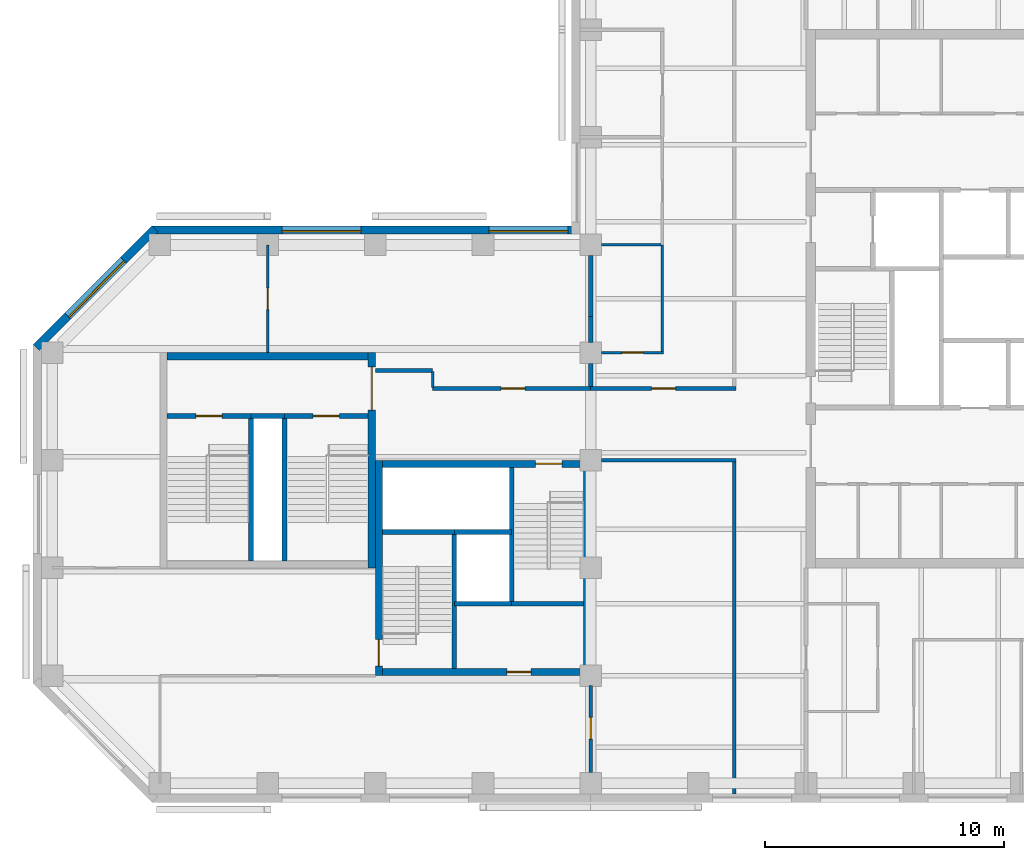
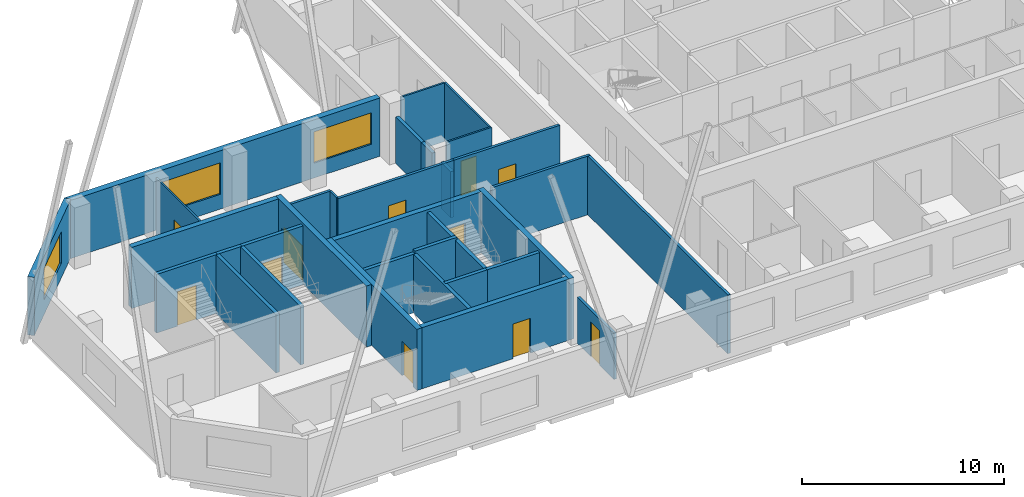
# One storey, part 3 of 10: 33 walls, 11 doors, 3 windows, 14 openings.
"""IFC4 building model written with IfcOpenShell, lengths in metres."""

from ifc_helpers import new_model, si_unit, direction, frame, frame_2d, origin, place, context, subcontext, project, spatial, rectangle, extrude, material, layer, layer_set, constituent, constituent_set, type_object, element, fill, save


model = new_model("IFC4")

# Units and contexts
model_context = context("Model", 3, precision=1e-05, world=origin(), true_north=direction((0.0, 1.0)))
body_context = subcontext(model_context, "Body", "Model", "MODEL_VIEW")
ifc_project = project(units=[si_unit("LENGTHUNIT", "METRE"), si_unit("AREAUNIT", "SQUARE_METRE"), si_unit("VOLUMEUNIT", "CUBIC_METRE"), si_unit("PLANEANGLEUNIT", "RADIAN"), si_unit("MASSUNIT", "GRAM", prefix="KILO")], contexts=[model_context])

# Site, building, storey
site_placement = place(None, origin())
site = spatial("IfcSite", under=ifc_project, at=site_placement, CompositionType="ELEMENT")
building_placement = place(site_placement, origin())
building = spatial("IfcBuilding", under=site, at=building_placement, Name="Quoin Convention Tower", CompositionType="ELEMENT")
storey_placement = place(building_placement, frame((0.0, 0.0, 188.39990234375)))
storey = spatial("IfcBuildingStorey", under=building, at=storey_placement, Name="L49", CompositionType="ELEMENT", Elevation=188.39990234375)

# Wall, openings, windows
ifc_material_1 = material(Name="Brick masonry", Category="masonry")
ifc_layer_1 = layer(ifc_material_1, 0.35009765625)
ifc_layer_set_1 = layer_set([ifc_layer_1], Name="Brick masonry")
wall_type_1 = type_object("IfcWallType", Name="Brick facade wall", PredefinedType="STANDARD", material=ifc_layer_set_1)
wall_1_placement = place(storey_placement, frame((35.550048828125, 63.625, 0.0), z_axis=(0.0, 0.0, 1.0), x_axis=(-1.0, 0.0, 0.0)))
wall_1 = element("IfcWall", 1, at=wall_1_placement, inside=storey, type_object=wall_type_1, Name="fw-L49-36000_63000", PredefinedType="STANDARD", context=body_context, shape_type="SweptSolid", body=[
    extrude(rectangle(XDim=17.88134765625, YDim=0.35009765625, at=frame_2d((8.940673828125, 0.0))), origin(), (0.0, 0.0, 1.0), 3.525146484375),
])
opening_1_placement = place(wall_1_placement, frame((0.5, 0.0, 0.89990234375)))
opening_1 = element("IfcOpeningElement", 2, at=opening_1_placement, cuts=wall_1, Name="Opening W-02", PredefinedType="OPENING", context=body_context, shape_type="SweptSolid", body=[
    extrude(rectangle(XDim=3.300048828125, YDim=1.89990234375, at=frame_2d((1.64990234375, 0.949951171875))), frame((0.0, 0.18505859375, 0.0), z_axis=(0.0, -1.0, 0.0), x_axis=(1.0, 0.0, 0.0)), (0.0, 0.0, 1.0), 0.3701171875),
])
opening_2_placement = place(wall_1_placement, frame((9.14990234375, 0.0, 0.89990234375)))
opening_2 = element("IfcOpeningElement", 3, at=opening_2_placement, cuts=wall_1, Name="Opening W-02", PredefinedType="OPENING", context=body_context, shape_type="SweptSolid", body=[
    extrude(rectangle(XDim=3.300048828125, YDim=1.89990234375, at=frame_2d((1.64990234375, 0.949951171875))), frame((0.0, 0.18505859375, 0.0), z_axis=(0.0, -1.0, 0.0), x_axis=(1.0, 0.0, 0.0)), (0.0, 0.0, 1.0), 0.3701171875),
])
ifc_material_2 = material(Name="Aluminium", Category="aluminium")
ifc_constituent_1 = constituent(ifc_material_2, Name="Frame")
ifc_material_3 = material(Name="Insulated glass", Category="glass")
ifc_constituent_2 = constituent(ifc_material_3, Name="Glazing")
ifc_constituent_set = constituent_set(constituents=[ifc_constituent_1, ifc_constituent_2], Name="Aluminium")
window_type = type_object("IfcWindowType", Name="Office window", PartitioningType="DOUBLE_PANEL_VERTICAL", PredefinedType="WINDOW", material=ifc_constituent_set)
window_1_placement = place(opening_1_placement, origin())
window_1 = element("IfcWindow", 4, at=window_1_placement, inside=storey, type_object=window_type, Name="win-L49-33750_63625", OverallHeight=1.89990234375, OverallWidth=3.300048828125, PartitioningType="SINGLE_PANEL", PredefinedType="WINDOW", context=body_context, shape_type="SweptSolid", body=[
    extrude(rectangle(XDim=3.300048828125, YDim=1.89990234375, at=frame_2d((1.64990234375, 0.949951171875))), frame((0.0, 0.0849609375, 0.0), z_axis=(0.0, -1.0, 0.0), x_axis=(1.0, 0.0, 0.0)), (0.0, 0.0, 1.0), 0.06005859375),
])
fill(opening_1, window_1)
window_2_placement = place(opening_2_placement, origin())
window_2 = element("IfcWindow", 5, at=window_2_placement, inside=storey, type_object=window_type, Name="win-L49-24750_63625", OverallHeight=1.89990234375, OverallWidth=3.300048828125, PartitioningType="SINGLE_PANEL", PredefinedType="WINDOW", context=body_context, shape_type="SweptSolid", body=[
    extrude(rectangle(XDim=3.300048828125, YDim=1.89990234375, at=frame_2d((1.64990234375, 0.949951171875))), frame((0.0, 0.0849609375, 0.0), z_axis=(0.0, -1.0, 0.0), x_axis=(1.0, 0.0, 0.0)), (0.0, 0.0, 1.0), 0.06005859375),
])
fill(opening_2, window_2)

# Wall, opening, window
wall_2_placement = place(storey_placement, frame((17.79248046875, 63.67626953125, 0.0), z_axis=(0.0, 0.0, 1.0), x_axis=(-0.707106781187, -0.707106781187, 0.0)))
wall_2 = element("IfcWall", 6, at=wall_2_placement, inside=storey, type_object=wall_type_1, Name="fw-L49-18000_63000", PredefinedType="STANDARD", context=body_context, shape_type="SweptSolid", body=[
    extrude(rectangle(XDim=7.02685546875, YDim=0.35009765625, at=frame_2d((3.513427734375, 0.0))), origin(), (0.0, 0.0, 1.0), 3.525146484375),
])
opening_3_placement = place(wall_2_placement, frame((1.86328125, 0.0, 0.89990234375)))
opening_3 = element("IfcOpeningElement", 7, at=opening_3_placement, cuts=wall_2, Name="Opening W-02", PredefinedType="OPENING", context=body_context, shape_type="SweptSolid", body=[
    extrude(rectangle(XDim=3.300048828125, YDim=1.89990234375, at=frame_2d((1.64990234375, 0.949951171875))), frame((0.0, 0.18505859375, 0.0), z_axis=(0.0, -1.0, 0.0), x_axis=(1.0, 0.0, 0.0)), (0.0, 0.0, 1.0), 0.3701171875),
])
window_3_placement = place(opening_3_placement, origin())
window_3 = element("IfcWindow", 8, at=window_3_placement, inside=storey, type_object=window_type, Name="win-L49-15308_61192", OverallHeight=1.89990234375, OverallWidth=3.300048828125, PartitioningType="SINGLE_PANEL", PredefinedType="WINDOW", context=body_context, shape_type="SweptSolid", body=[
    extrude(rectangle(XDim=3.300048828125, YDim=1.89990234375, at=frame_2d((1.64990234375, 0.949951171875))), frame((0.0, 0.0849609375, 0.0), z_axis=(0.0, -1.0, 0.0), x_axis=(1.0, 0.0, 0.0)), (0.0, 0.0, 1.0), 0.06005859375),
])
fill(opening_3, window_3)

# Walls
ifc_material_4 = material(Name="Concrete C50", Category="concrete")
ifc_layer_2 = layer(ifc_material_4, 0.199951171875)
ifc_layer_set_2 = layer_set([ifc_layer_2], Name="Concrete C50")
wall_type_2 = type_object("IfcWallType", Name="Core shaft wall", PredefinedType="SOLIDWALL", material=ifc_layer_set_2)
wall_3_placement = place(storey_placement, frame((30.300048828125, 48.0, 0.0), z_axis=(0.0, 0.0, 1.0), x_axis=(1.0, 0.0, 0.0)))
element("IfcWall", 9, at=wall_3_placement, inside=storey, type_object=wall_type_2, Name="cr-P2-L49-h3000_3300", PredefinedType="SOLIDWALL", context=body_context, shape_type="SweptSolid", body=[
    extrude(rectangle(XDim=2.39990234375, YDim=0.199951171875, at=frame_2d((1.199951171875, 0.0))), origin(), (0.0, 0.0, 1.0), 3.550048828125),
])
for number, where, z_axis, x_axis, name in (
    (10, (32.699951171875, 48.0, 0.0), (0.0, 0.0, 1.0), (1.0, 0.0, 0.0), "cr-P2-L49-h3000_5700"),
    (11, (27.300048828125, 51.0, 0.0), (0.0, 0.0, 1.0), (1.0, 0.0, 0.0), "cr-P2-L49-h6000_300"),
):
    element("IfcWall", number, at=place(storey_placement, frame(where, z_axis=z_axis, x_axis=x_axis)), inside=storey, type_object=wall_type_2, Name=name, PredefinedType="SOLIDWALL", context=body_context, shape_type="SweptSolid", body=[
        extrude(rectangle(XDim=3.0, YDim=0.199951171875, at=frame_2d((1.5, 0.0))), origin(), (0.0, 0.0, 1.0), 3.550048828125),
    ])
for number, where, z_axis, x_axis, name in (
    (12, (30.300048828125, 45.300048828125, 0.0), (0.0, 0.0, 1.0), (0.0, 1.0, 0.0), "cr-P2-L49-v3300_300"),
    (13, (32.699951171875, 48.0, 0.0), (0.0, 0.0, 1.0), (0.0, 1.0, 0.0), "cr-P2-L49-v5700_3000"),
):
    element("IfcWall", number, at=place(storey_placement, frame(where, z_axis=z_axis, x_axis=x_axis)), inside=storey, type_object=wall_type_2, Name=name, PredefinedType="SOLIDWALL", context=body_context, shape_type="SweptSolid", body=[
        extrude(rectangle(XDim=5.699951171875, YDim=0.199951171875, at=frame_2d((2.85009765625, 0.0))), origin(), (0.0, 0.0, 1.0), 3.550048828125),
    ])
wall_4_placement = place(storey_placement, frame((21.800048828125, 55.85009765625, 0.0), z_axis=(0.0, 0.0, 1.0), x_axis=(1.0, 0.0, 0.0)))
element("IfcWall", 14, at=wall_4_placement, inside=storey, type_object=wall_type_2, Name="cr-P6-L49-h6350_3800", PredefinedType="SOLIDWALL", context=body_context, shape_type="SweptSolid", body=[
    extrude(rectangle(XDim=1.39990234375, YDim=0.199951171875, at=frame_2d((0.699951171875, 0.0))), origin(), (0.0, 0.0, 1.0), 3.550048828125),
])

# Wall, opening, door
wall_5_placement = place(storey_placement, frame((18.300048828125, 55.85009765625, 0.0), z_axis=(0.0, 0.0, 1.0), x_axis=(1.0, 0.0, 0.0)))
wall_5 = element("IfcWall", 15, at=wall_5_placement, inside=storey, type_object=wall_type_2, Name="cr-P6-L49-h6350_300", PredefinedType="SOLIDWALL", context=body_context, shape_type="SweptSolid", body=[
    extrude(rectangle(XDim=3.5, YDim=0.199951171875, at=frame_2d((1.75, 0.0))), origin(), (0.0, 0.0, 1.0), 3.550048828125),
])
opening_4_placement = place(wall_5_placement, frame((1.199951171875, 0.0, 0.0)))
opening_4 = element("IfcOpeningElement", 16, at=opening_4_placement, cuts=wall_5, Name="Opening SD11", PredefinedType="OPENING", context=body_context, shape_type="SweptSolid", body=[
    extrude(rectangle(XDim=1.10009765625, YDim=2.10009765625, at=frame_2d((0.550048828125, 1.050048828125))), frame((0.0, 0.10986328125, 0.0), z_axis=(0.0, -1.0, 0.0), x_axis=(1.0, 0.0, 0.0)), (0.0, 0.0, 1.0), 0.219970703125),
])
ifc_material_5 = material(Name="Steel door leaf", Category="steel")
door_type_1 = type_object("IfcDoorType", Name="Stair door 1100 x 2100", OperationType="SINGLE_SWING_RIGHT", PredefinedType="DOOR", material=ifc_material_5)
door_1_placement = place(opening_4_placement, origin())
door_1 = element("IfcDoor", 17, at=door_1_placement, inside=storey, type_object=door_type_1, Name="cd-P6-L49-SA-R2-SD11", OperationType="SINGLE_SWING_RIGHT", OverallHeight=2.10009765625, OverallWidth=1.10009765625, PredefinedType="DOOR", context=body_context, shape_type="SweptSolid", body=[
    extrude(rectangle(XDim=1.10009765625, YDim=2.10009765625, at=frame_2d((0.550048828125, 1.050048828125))), frame((0.0, 0.02490234375, 0.0), z_axis=(0.0, -1.0, 0.0), x_axis=(1.0, 0.0, 0.0)), (0.0, 0.0, 1.0), 0.050048828125),
])
fill(opening_4, door_1)

wall_6_placement = place(storey_placement, frame((23.199951171875, 55.85009765625, 0.0), z_axis=(0.0, 0.0, 1.0), x_axis=(1.0, 0.0, 0.0)))
wall_6 = element("IfcWall", 18, at=wall_6_placement, inside=storey, type_object=wall_type_2, Name="cr-P6-L49-h6350_5200", PredefinedType="SOLIDWALL", context=body_context, shape_type="SweptSolid", body=[
    extrude(rectangle(XDim=3.5, YDim=0.199951171875, at=frame_2d((1.75, 0.0))), origin(), (0.0, 0.0, 1.0), 3.550048828125),
])
opening_5_placement = place(wall_6_placement, frame((1.199951171875, 0.0, 0.0)))
opening_5 = element("IfcOpeningElement", 19, at=opening_5_placement, cuts=wall_6, Name="Opening SD12", PredefinedType="OPENING", context=body_context, shape_type="SweptSolid", body=[
    extrude(rectangle(XDim=1.10009765625, YDim=2.10009765625, at=frame_2d((0.550048828125, 1.050048828125))), frame((0.0, 0.10986328125, 0.0), z_axis=(0.0, -1.0, 0.0), x_axis=(1.0, 0.0, 0.0)), (0.0, 0.0, 1.0), 0.219970703125),
])
door_2_placement = place(opening_5_placement, origin())
door_2 = element("IfcDoor", 20, at=door_2_placement, inside=storey, type_object=door_type_1, Name="cd-P6-L49-SB-R2-SD12", OperationType="SINGLE_SWING_RIGHT", OverallHeight=2.10009765625, OverallWidth=1.10009765625, PredefinedType="DOOR", context=body_context, shape_type="SweptSolid", body=[
    extrude(rectangle(XDim=1.10009765625, YDim=2.10009765625, at=frame_2d((0.550048828125, 1.050048828125))), frame((0.0, 0.02490234375, 0.0), z_axis=(0.0, -1.0, 0.0), x_axis=(1.0, 0.0, 0.0)), (0.0, 0.0, 1.0), 0.050048828125),
])
fill(opening_5, door_2)

# Walls
for number, where, z_axis, x_axis, name in (
    (21, (21.800048828125, 49.800048828125, 0.0), (0.0, 0.0, 1.0), (0.0, 1.0, 0.0), "cr-P6-L49-v3800_300"),
    (22, (23.199951171875, 49.800048828125, 0.0), (0.0, 0.0, 1.0), (0.0, 1.0, 0.0), "cr-P6-L49-v5200_300"),
):
    element("IfcWall", number, at=place(storey_placement, frame(where, z_axis=z_axis, x_axis=x_axis)), inside=storey, type_object=wall_type_2, Name=name, PredefinedType="SOLIDWALL", context=body_context, shape_type="SweptSolid", body=[
        extrude(rectangle(XDim=6.050048828125, YDim=0.199951171875, at=frame_2d((3.02490234375, 0.0))), origin(), (0.0, 0.0, 1.0), 3.550048828125),
    ])
ifc_layer_3 = layer(ifc_material_4, 0.199951171875)
ifc_layer_set_3 = layer_set([ifc_layer_3], Name="Concrete C50")
wall_type_3 = type_object("IfcWallType", Name="Core shaft wall to the floor level over", PredefinedType="SOLIDWALL", material=ifc_layer_set_3)
wall_7_placement = place(storey_placement, frame((30.300048828125, 51.0, 0.0), z_axis=(0.0, 0.0, 1.0), x_axis=(1.0, 0.0, 0.0)))
element("IfcWall", 23, at=wall_7_placement, inside=storey, type_object=wall_type_3, Name="cr-P2-L49-h6000_3300", PredefinedType="SOLIDWALL", context=body_context, shape_type="SweptSolid", body=[
    extrude(rectangle(XDim=2.39990234375, YDim=0.199951171875, at=frame_2d((1.199951171875, 0.0))), origin(), (0.0, 0.0, 1.0), 3.7001953125),
])
ifc_material_6 = material(Name="Plasterboard")
ifc_layer_4 = layer(ifc_material_6, 0.012451171875, Name="Finish")
ifc_material_7 = material(Name="Steel stud framing", Category="steel")
ifc_layer_5 = layer(ifc_material_7, 0.125, Name="Structure")
ifc_layer_6 = layer(ifc_material_6, 0.012451171875, Name="Finish")
ifc_layer_set_4 = layer_set([ifc_layer_4, ifc_layer_5, ifc_layer_6], Name="Steel stud framing")
wall_type_4 = type_object("IfcWallType", Name="Corridor wall 150", PredefinedType="PARTITIONING", material=ifc_layer_set_4)
wall_8_placement = place(storey_placement, frame((36.449951171875, 54.0, 0.0), z_axis=(0.0, 0.0, 1.0), x_axis=(1.0, 0.0, 0.0)))
element("IfcWall", 24, at=wall_8_placement, inside=storey, type_object=wall_type_4, Name="pw-L49-016", PredefinedType="PARTITIONING", context=body_context, shape_type="SweptSolid", body=[
    extrude(rectangle(XDim=5.625, YDim=0.14990234375, at=frame_2d((2.8125, 0.0))), origin(), (0.0, 0.0, 1.0), 3.550048828125),
])

# Wall, opening, door
wall_9_placement = place(storey_placement, frame((29.3798828125, 57.0, 0.0), z_axis=(0.0, 0.0, 1.0), x_axis=(1.0, 0.0, 0.0)))
wall_9 = element("IfcWall", 25, at=wall_9_placement, inside=storey, type_object=wall_type_4, Name="pw-L49-018", PredefinedType="PARTITIONING", context=body_context, shape_type="SweptSolid", body=[
    extrude(rectangle(XDim=6.6201171875, YDim=0.14990234375, at=frame_2d((3.31005859375, 0.0))), origin(), (0.0, 0.0, 1.0), 3.550048828125),
])
opening_6_placement = place(wall_9_placement, frame((2.8798828125, 0.0, 0.0)))
opening_6 = element("IfcOpeningElement", 26, at=opening_6_placement, cuts=wall_9, Name="Opening DOH6-04", PredefinedType="OPENING", context=body_context, shape_type="SweptSolid", body=[
    extrude(rectangle(XDim=1.0, YDim=2.10009765625, at=frame_2d((0.5, 1.050048828125))), frame((0.0, 0.0849609375, 0.0), z_axis=(0.0, -1.0, 0.0), x_axis=(1.0, 0.0, 0.0)), (0.0, 0.0, 1.0), 0.169921875),
])
door_type_2 = type_object("IfcDoorType", Name="Tenancy entrance door 1000 x 2100", OperationType="DOUBLE_DOOR_SINGLE_SWING", PredefinedType="DOOR", material=ifc_material_5)
door_3_placement = place(opening_6_placement, origin())
door_3 = element("IfcDoor", 27, at=door_3_placement, inside=storey, type_object=door_type_2, Name="dr-L49-w01", OperationType="DOUBLE_DOOR_SINGLE_SWING", OverallHeight=2.10009765625, OverallWidth=1.0, PredefinedType="DOOR", context=body_context, shape_type="SweptSolid", body=[
    extrude(rectangle(XDim=1.0, YDim=2.10009765625, at=frame_2d((0.5, 1.050048828125))), frame((0.0, 0.02490234375, 0.0), z_axis=(0.0, -1.0, 0.0), x_axis=(1.0, 0.0, 0.0)), (0.0, 0.0, 1.0), 0.050048828125),
])
fill(opening_6, door_3)

wall_10_placement = place(storey_placement, frame((36.0, 57.0, 0.0), z_axis=(0.0, 0.0, 1.0), x_axis=(1.0, 0.0, 0.0)))
wall_10 = element("IfcWall", 28, at=wall_10_placement, inside=storey, type_object=wall_type_4, Name="pw-L49-019", PredefinedType="PARTITIONING", context=body_context, shape_type="SweptSolid", body=[
    extrude(rectangle(XDim=6.074951171875, YDim=0.14990234375, at=frame_2d((3.03759765625, 0.0))), origin(), (0.0, 0.0, 1.0), 3.550048828125),
])
opening_7_placement = place(wall_10_placement, frame((2.550048828125, 0.0, 0.0)))
opening_7 = element("IfcOpeningElement", 29, at=opening_7_placement, cuts=wall_10, Name="Opening DOH6-05", PredefinedType="OPENING", context=body_context, shape_type="SweptSolid", body=[
    extrude(rectangle(XDim=1.0, YDim=2.10009765625, at=frame_2d((0.5, 1.050048828125))), frame((0.0, 0.0849609375, 0.0), z_axis=(0.0, -1.0, 0.0), x_axis=(1.0, 0.0, 0.0)), (0.0, 0.0, 1.0), 0.169921875),
])
door_4_placement = place(opening_7_placement, origin())
door_4 = element("IfcDoor", 30, at=door_4_placement, inside=storey, type_object=door_type_2, Name="dr-L49-12", OperationType="DOUBLE_DOOR_SINGLE_SWING", OverallHeight=2.10009765625, OverallWidth=1.0, PredefinedType="DOOR", context=body_context, shape_type="SweptSolid", body=[
    extrude(rectangle(XDim=1.0, YDim=2.10009765625, at=frame_2d((0.5, 1.050048828125))), frame((0.0, 0.02490234375, 0.0), z_axis=(0.0, -1.0, 0.0), x_axis=(1.0, 0.0, 0.0)), (0.0, 0.0, 1.0), 0.050048828125),
])
fill(opening_7, door_4)

# Walls
wall_11_placement = place(storey_placement, frame((42.0, 40.050048828125, 0.0), z_axis=(0.0, 0.0, 1.0), x_axis=(0.0, 1.0, 0.0)))
element("IfcWall", 31, at=wall_11_placement, inside=storey, type_object=wall_type_4, Name="pw-L49-045", PredefinedType="PARTITIONING", context=body_context, shape_type="SweptSolid", body=[
    extrude(rectangle(XDim=13.875, YDim=0.14990234375, at=frame_2d((6.9375, 0.0))), origin(), (0.0, 0.0, 1.0), 3.550048828125),
])
wall_12_placement = place(storey_placement, frame((27.0, 57.75, 0.0), z_axis=(0.0, 0.0, 1.0), x_axis=(1.0, 0.0, 0.0)))
element("IfcWall", 32, at=wall_12_placement, inside=storey, type_object=wall_type_4, Name="pw-L49-w05", PredefinedType="PARTITIONING", context=body_context, shape_type="SweptSolid", body=[
    extrude(rectangle(XDim=2.39990234375, YDim=0.14990234375, at=frame_2d((1.199951171875, 0.0))), origin(), (0.0, 0.0, 1.0), 3.550048828125),
])

# Wall, opening, door
ifc_layer_7 = layer(ifc_material_6, 0.012451171875, Name="Finish")
ifc_layer_8 = layer(ifc_material_7, 0.125, Name="Structure")
ifc_layer_9 = layer(ifc_material_6, 0.012451171875, Name="Finish")
ifc_layer_set_5 = layer_set([ifc_layer_7, ifc_layer_8, ifc_layer_9], Name="Steel stud framing")
wall_type_5 = type_object("IfcWallType", Name="Corridor wall 150 under beam 750", PredefinedType="PARTITIONING", material=ifc_layer_set_5)
wall_13_placement = place(storey_placement, frame((36.0, 40.949951171875, 0.0), z_axis=(0.0, 0.0, 1.0), x_axis=(0.0, 1.0, 0.0)))
wall_13 = element("IfcWall", 33, at=wall_13_placement, inside=storey, type_object=wall_type_5, Name="pw-L49-054", PredefinedType="PARTITIONING", context=body_context, shape_type="SweptSolid", body=[
    extrude(rectangle(XDim=3.630126953125, YDim=0.14990234375, at=frame_2d((1.81494140625, 0.0))), origin(), (0.0, 0.0, 1.0), 2.800048828125),
])
opening_8_placement = place(wall_13_placement, frame((1.39990234375, 0.0, 0.0)))
opening_8 = element("IfcOpeningElement", 34, at=opening_8_placement, cuts=wall_13, Name="Opening DOH6-19", PredefinedType="OPENING", context=body_context, shape_type="SweptSolid", body=[
    extrude(rectangle(XDim=0.89990234375, YDim=2.10009765625, at=frame_2d((0.449951171875, 1.050048828125))), frame((0.0, 0.0849609375, 0.0), z_axis=(0.0, -1.0, 0.0), x_axis=(1.0, 0.0, 0.0)), (0.0, 0.0, 1.0), 0.169921875),
])
door_type_3 = type_object("IfcDoorType", Name="Office door 900 x 2100", OperationType="SINGLE_SWING_RIGHT", PredefinedType="DOOR", material=ifc_material_5)
door_5_placement = place(opening_8_placement, origin())
door_5 = element("IfcDoor", 35, at=door_5_placement, inside=storey, type_object=door_type_3, Name="dr-L49-01", OperationType="SINGLE_SWING_RIGHT", OverallHeight=2.10009765625, OverallWidth=0.89990234375, PredefinedType="DOOR", context=body_context, shape_type="SweptSolid", body=[
    extrude(rectangle(XDim=0.89990234375, YDim=2.10009765625, at=frame_2d((0.449951171875, 1.050048828125))), frame((0.0, 0.02490234375, 0.0), z_axis=(0.0, -1.0, 0.0), x_axis=(1.0, 0.0, 0.0)), (0.0, 0.0, 1.0), 0.050048828125),
])
fill(opening_8, door_5)

ifc_layer_10 = layer(ifc_material_4, 0.300048828125)
ifc_layer_set_6 = layer_set([ifc_layer_10], Name="Concrete C50")
wall_type_6 = type_object("IfcWallType", Name="RC CORE WALL 300 C50", PredefinedType="SHEAR", material=ifc_layer_set_6)
wall_14_placement = place(storey_placement, frame((27.300048828125, 45.14990234375, 0.0), z_axis=(0.0, 0.0, 1.0), x_axis=(1.0, 0.0, 0.0)))
wall_14 = element("IfcWall", 36, at=wall_14_placement, inside=storey, type_object=wall_type_6, Name="cwl-P2-L49-S", PredefinedType="SHEAR", context=body_context, shape_type="SweptSolid", body=[
    extrude(rectangle(XDim=8.39990234375, YDim=0.300048828125, at=frame_2d((4.199951171875, 0.0))), origin(), (0.0, 0.0, 1.0), 3.7001953125),
])
opening_9_placement = place(wall_14_placement, frame((5.199951171875, 0.0, 0.0)))
opening_9 = element("IfcOpeningElement", 37, at=opening_9_placement, cuts=wall_14, Name="Opening DCV5-51", PredefinedType="OPENING", context=body_context, shape_type="SweptSolid", body=[
    extrude(rectangle(XDim=1.0, YDim=2.10009765625, at=frame_2d((0.5, 1.050048828125))), frame((0.0, 0.159912109375, 0.0), z_axis=(0.0, -1.0, 0.0), x_axis=(1.0, 0.0, 0.0)), (0.0, 0.0, 1.0), 0.320068359375),
])
door_type_4 = type_object("IfcDoorType", Name="Service door 1000 x 2100", OperationType="SINGLE_SWING_LEFT", PredefinedType="DOOR", material=ifc_material_5)
door_6_placement = place(opening_9_placement, frame((1.0, 0.0, 0.0), z_axis=(0.0, 0.0, 1.0), x_axis=(-1.0, 0.0, 0.0)))
door_6 = element("IfcDoor", 38, at=door_6_placement, inside=storey, type_object=door_type_4, Name="cd-P2-L49-R2-S", OperationType="SINGLE_SWING_LEFT", OverallHeight=2.10009765625, OverallWidth=1.0, PredefinedType="DOOR", context=body_context, shape_type="SweptSolid", body=[
    extrude(rectangle(XDim=1.0, YDim=2.10009765625, at=frame_2d((0.5, 1.050048828125))), frame((0.0, 0.02490234375, 0.0), z_axis=(0.0, -1.0, 0.0), x_axis=(1.0, 0.0, 0.0)), (0.0, 0.0, 1.0), 0.050048828125),
])
fill(opening_9, door_6)

wall_15_placement = place(storey_placement, frame((27.300048828125, 53.85009765625, 0.0), z_axis=(0.0, 0.0, 1.0), x_axis=(1.0, 0.0, 0.0)))
wall_15 = element("IfcWall", 39, at=wall_15_placement, inside=storey, type_object=wall_type_6, Name="cwl-P2-L49-N", PredefinedType="SHEAR", context=body_context, shape_type="SweptSolid", body=[
    extrude(rectangle(XDim=8.39990234375, YDim=0.300048828125, at=frame_2d((4.199951171875, 0.0))), origin(), (0.0, 0.0, 1.0), 3.7001953125),
])
opening_10_placement = place(wall_15_placement, frame((6.39990234375, 0.0, 0.0)))
opening_10 = element("IfcOpeningElement", 40, at=opening_10_placement, cuts=wall_15, Name="Opening SD4", PredefinedType="OPENING", context=body_context, shape_type="SweptSolid", body=[
    extrude(rectangle(XDim=1.10009765625, YDim=2.10009765625, at=frame_2d((0.550048828125, 1.050048828125))), frame((0.0, 0.159912109375, 0.0), z_axis=(0.0, -1.0, 0.0), x_axis=(1.0, 0.0, 0.0)), (0.0, 0.0, 1.0), 0.320068359375),
])
door_7_placement = place(opening_10_placement, frame((1.10009765625, 0.0, 0.0), z_axis=(0.0, 0.0, 1.0), x_axis=(-1.0, 0.0, 0.0)))
door_7 = element("IfcDoor", 41, at=door_7_placement, inside=storey, type_object=door_type_1, Name="cd-P2-L49-SB-N", OperationType="SINGLE_SWING_LEFT", OverallHeight=2.10009765625, OverallWidth=1.10009765625, PredefinedType="DOOR", context=body_context, shape_type="SweptSolid", body=[
    extrude(rectangle(XDim=1.10009765625, YDim=2.10009765625, at=frame_2d((0.550048828125, 1.050048828125))), frame((0.0, 0.02490234375, 0.0), z_axis=(0.0, -1.0, 0.0), x_axis=(1.0, 0.0, 0.0)), (0.0, 0.0, 1.0), 0.050048828125),
])
fill(opening_10, door_7)

wall_16_placement = place(storey_placement, frame((27.14990234375, 45.0, 0.0), z_axis=(0.0, 0.0, 1.0), x_axis=(0.0, 1.0, 0.0)))
wall_16 = element("IfcWall", 42, at=wall_16_placement, inside=storey, type_object=wall_type_6, Name="cwl-P2-L49-W", PredefinedType="SHEAR", context=body_context, shape_type="SweptSolid", body=[
    extrude(rectangle(XDim=9.0, YDim=0.300048828125, at=frame_2d((4.5, 0.0))), origin(), (0.0, 0.0, 1.0), 3.7001953125),
])
opening_11_placement = place(wall_16_placement, frame((0.39990234375, 0.0, 0.0)))
opening_11 = element("IfcOpeningElement", 43, at=opening_11_placement, cuts=wall_16, Name="Opening SD3", PredefinedType="OPENING", context=body_context, shape_type="SweptSolid", body=[
    extrude(rectangle(XDim=1.10009765625, YDim=2.10009765625, at=frame_2d((0.550048828125, 1.050048828125))), frame((0.0, 0.159912109375, 0.0), z_axis=(0.0, -1.0, 0.0), x_axis=(1.0, 0.0, 0.0)), (0.0, 0.0, 1.0), 0.320068359375),
])
door_8_placement = place(opening_11_placement, frame((1.10009765625, 0.0, 0.0), z_axis=(0.0, 0.0, 1.0), x_axis=(-1.0, 0.0, 0.0)))
door_8 = element("IfcDoor", 44, at=door_8_placement, inside=storey, type_object=door_type_1, Name="cd-P2-L49-SA-W", OperationType="SINGLE_SWING_RIGHT", OverallHeight=2.10009765625, OverallWidth=1.10009765625, PredefinedType="DOOR", context=body_context, shape_type="SweptSolid", body=[
    extrude(rectangle(XDim=1.10009765625, YDim=2.10009765625, at=frame_2d((0.550048828125, 1.050048828125))), frame((0.0, 0.02490234375, 0.0), z_axis=(0.0, -1.0, 0.0), x_axis=(1.0, 0.0, 0.0)), (0.0, 0.0, 1.0), 0.050048828125),
])
fill(opening_11, door_8)

# Walls
wall_17_placement = place(storey_placement, frame((35.85009765625, 45.0, 0.0), z_axis=(0.0, 0.0, 1.0), x_axis=(0.0, 1.0, 0.0)))
element("IfcWall", 45, at=wall_17_placement, inside=storey, type_object=wall_type_6, Name="cwl-P2-L49-E", PredefinedType="SHEAR", context=body_context, shape_type="SweptSolid", body=[
    extrude(rectangle(XDim=9.0, YDim=0.300048828125, at=frame_2d((4.5, 0.0))), origin(), (0.0, 0.0, 1.0), 3.7001953125),
])
wall_18_placement = place(storey_placement, frame((18.300048828125, 58.35009765625, 0.0), z_axis=(0.0, 0.0, 1.0), x_axis=(1.0, 0.0, 0.0)))
element("IfcWall", 46, at=wall_18_placement, inside=storey, type_object=wall_type_6, Name="cwl-P6-L49-N", PredefinedType="SHEAR", context=body_context, shape_type="SweptSolid", body=[
    extrude(rectangle(XDim=8.39990234375, YDim=0.300048828125, at=frame_2d((4.199951171875, 0.0))), origin(), (0.0, 0.0, 1.0), 3.7001953125),
])

# Wall, opening, door
wall_19_placement = place(storey_placement, frame((26.85009765625, 49.5, 0.0), z_axis=(0.0, 0.0, 1.0), x_axis=(0.0, 1.0, 0.0)))
wall_19 = element("IfcWall", 47, at=wall_19_placement, inside=storey, type_object=wall_type_6, Name="cwl-P6-L49-E", PredefinedType="SHEAR", context=body_context, shape_type="SweptSolid", body=[
    extrude(rectangle(XDim=9.0, YDim=0.300048828125, at=frame_2d((4.5, 0.0))), origin(), (0.0, 0.0, 1.0), 3.7001953125),
])
opening_12_placement = place(wall_19_placement, frame((6.60009765625, 0.0, 0.0)))
opening_12 = element("IfcOpeningElement", 48, at=opening_12_placement, cuts=wall_19, Name="Opening DCV5-54", PredefinedType="OPENING", context=body_context, shape_type="SweptSolid", body=[
    extrude(rectangle(XDim=1.800048828125, YDim=2.10009765625, at=frame_2d((0.89990234375, 1.050048828125))), frame((0.0, 0.159912109375, 0.0), z_axis=(0.0, -1.0, 0.0), x_axis=(1.0, 0.0, 0.0)), (0.0, 0.0, 1.0), 0.320068359375),
])
door_type_5 = type_object("IfcDoorType", Name="Goods lobby door 1800 x 2100", OperationType="SINGLE_SWING_LEFT", PredefinedType="DOOR", material=ifc_material_5)
door_9_placement = place(opening_12_placement, origin())
door_9 = element("IfcDoor", 49, at=door_9_placement, inside=storey, type_object=door_type_5, Name="cd-P6-L49-R2-E", OperationType="SINGLE_SWING_LEFT", OverallHeight=2.10009765625, OverallWidth=1.800048828125, PredefinedType="DOOR", context=body_context, shape_type="SweptSolid", body=[
    extrude(rectangle(XDim=1.800048828125, YDim=2.10009765625, at=frame_2d((0.89990234375, 1.050048828125))), frame((0.0, 0.02490234375, 0.0), z_axis=(0.0, -1.0, 0.0), x_axis=(1.0, 0.0, 0.0)), (0.0, 0.0, 1.0), 0.050048828125),
])
fill(opening_12, door_9)

ifc_layer_11 = layer(ifc_material_6, 0.012451171875, Name="Finish")
ifc_layer_12 = layer(ifc_material_7, 0.074951171875, Name="Structure")
ifc_layer_13 = layer(ifc_material_6, 0.012451171875, Name="Finish")
ifc_layer_set_7 = layer_set([ifc_layer_11, ifc_layer_12, ifc_layer_13], Name="Steel stud framing")
wall_type_7 = type_object("IfcWallType", Name="Stud partition 100", PredefinedType="PARTITIONING", material=ifc_layer_set_7)
wall_20_placement = place(storey_placement, frame((36.449951171875, 58.5, 0.0), z_axis=(0.0, 0.0, 1.0), x_axis=(1.0, 0.0, 0.0)))
wall_20 = element("IfcWall", 50, at=wall_20_placement, inside=storey, type_object=wall_type_7, Name="pw-L49-021", PredefinedType="PARTITIONING", context=body_context, shape_type="SweptSolid", body=[
    extrude(rectangle(XDim=2.60009765625, YDim=0.10009765625, at=frame_2d((1.300048828125, 0.0))), origin(), (0.0, 0.0, 1.0), 3.550048828125),
])
opening_13_placement = place(wall_20_placement, frame((0.85009765625, 0.0, 0.0)))
opening_13 = element("IfcOpeningElement", 51, at=opening_13_placement, cuts=wall_20, Name="Opening DOH6-06", PredefinedType="OPENING", context=body_context, shape_type="SweptSolid", body=[
    extrude(rectangle(XDim=0.89990234375, YDim=2.10009765625, at=frame_2d((0.449951171875, 1.050048828125))), frame((0.0, 0.06005859375, 0.0), z_axis=(0.0, -1.0, 0.0), x_axis=(1.0, 0.0, 0.0)), (0.0, 0.0, 1.0), 0.1201171875),
])
door_10_placement = place(opening_13_placement, frame((0.89990234375, 0.0, 0.0), z_axis=(0.0, 0.0, 1.0), x_axis=(-1.0, 0.0, 0.0)))
door_10 = element("IfcDoor", 52, at=door_10_placement, inside=storey, type_object=door_type_3, Name="dr-L49-13", OperationType="SINGLE_SWING_LEFT", OverallHeight=2.10009765625, OverallWidth=0.89990234375, PredefinedType="DOOR", context=body_context, shape_type="SweptSolid", body=[
    extrude(rectangle(XDim=0.89990234375, YDim=2.10009765625, at=frame_2d((0.449951171875, 1.050048828125))), frame((0.0, 0.02490234375, 0.0), z_axis=(0.0, -1.0, 0.0), x_axis=(1.0, 0.0, 0.0)), (0.0, 0.0, 1.0), 0.050048828125),
])
fill(opening_13, door_10)

# Walls
wall_21_placement = place(storey_placement, frame((36.449951171875, 63.0, 0.0), z_axis=(0.0, 0.0, 1.0), x_axis=(1.0, 0.0, 0.0)))
element("IfcWall", 53, at=wall_21_placement, inside=storey, type_object=wall_type_7, Name="pw-L49-026", PredefinedType="PARTITIONING", context=body_context, shape_type="SweptSolid", body=[
    extrude(rectangle(XDim=2.5, YDim=0.10009765625, at=frame_2d((1.25, 0.0))), origin(), (0.0, 0.0, 1.0), 3.550048828125),
])
wall_22_placement = place(storey_placement, frame((39.0, 58.550048828125, 0.0), z_axis=(0.0, 0.0, 1.0), x_axis=(0.0, 1.0, 0.0)))
element("IfcWall", 54, at=wall_22_placement, inside=storey, type_object=wall_type_7, Name="pw-L49-075", PredefinedType="PARTITIONING", context=body_context, shape_type="SweptSolid", body=[
    extrude(rectangle(XDim=4.449951171875, YDim=0.10009765625, at=frame_2d((2.22509765625, 0.0))), origin(), (0.0, 0.0, 1.0), 3.550048828125),
])

# Wall, opening, door
wall_23_placement = place(storey_placement, frame((22.5, 63.0, 0.0), z_axis=(0.0, 0.0, 1.0), x_axis=(0.0, -1.0, 0.0)))
wall_23 = element("IfcWall", 55, at=wall_23_placement, inside=storey, type_object=wall_type_7, Name="pw-L49-w01", PredefinedType="PARTITIONING", context=body_context, shape_type="SweptSolid", body=[
    extrude(rectangle(XDim=4.5, YDim=0.10009765625, at=frame_2d((2.25, 0.0))), origin(), (0.0, 0.0, 1.0), 3.550048828125),
])
opening_14_placement = place(wall_23_placement, frame((1.800048828125, 0.0, 0.0)))
opening_14 = element("IfcOpeningElement", 56, at=opening_14_placement, cuts=wall_23, Name="Opening DOH6-34", PredefinedType="OPENING", context=body_context, shape_type="SweptSolid", body=[
    extrude(rectangle(XDim=0.89990234375, YDim=2.10009765625, at=frame_2d((0.449951171875, 1.050048828125))), frame((0.0, 0.06005859375, 0.0), z_axis=(0.0, -1.0, 0.0), x_axis=(1.0, 0.0, 0.0)), (0.0, 0.0, 1.0), 0.1201171875),
])
door_11_placement = place(opening_14_placement, origin())
door_11 = element("IfcDoor", 57, at=door_11_placement, inside=storey, type_object=door_type_3, Name="dr-L49-w02", OperationType="SINGLE_SWING_LEFT", OverallHeight=2.10009765625, OverallWidth=0.89990234375, PredefinedType="DOOR", context=body_context, shape_type="SweptSolid", body=[
    extrude(rectangle(XDim=0.89990234375, YDim=2.10009765625, at=frame_2d((0.449951171875, 1.050048828125))), frame((0.0, 0.02490234375, 0.0), z_axis=(0.0, -1.0, 0.0), x_axis=(1.0, 0.0, 0.0)), (0.0, 0.0, 1.0), 0.050048828125),
])
fill(opening_14, door_11)

# Walls
wall_24_placement = place(storey_placement, frame((29.39990234375, 57.715087890625, 0.0), z_axis=(0.0, 0.0, 1.0), x_axis=(0.0, -1.0, 0.0)))
element("IfcWall", 58, at=wall_24_placement, inside=storey, type_object=wall_type_7, Name="pw-L49-w06", PredefinedType="PARTITIONING", context=body_context, shape_type="SweptSolid", body=[
    extrude(rectangle(XDim=0.68017578125, YDim=0.10009765625, at=frame_2d((0.340087890625, 0.0))), origin(), (0.0, 0.0, 1.0), 3.550048828125),
])
ifc_layer_14 = layer(ifc_material_6, 0.012451171875, Name="Finish")
ifc_layer_15 = layer(ifc_material_7, 0.175048828125, Name="Structure")
ifc_layer_16 = layer(ifc_material_6, 0.012451171875, Name="Finish")
ifc_layer_set_8 = layer_set([ifc_layer_14, ifc_layer_15, ifc_layer_16], Name="Steel stud framing")
wall_type_8 = type_object("IfcWallType", Name="Tenancy demising wall 200 under beam 750", PredefinedType="PARTITIONING", material=ifc_layer_set_8)
wall_25_placement = place(storey_placement, frame((36.0, 57.074951171875, 0.0), z_axis=(0.0, 0.0, 1.0), x_axis=(0.0, 1.0, 0.0)))
element("IfcWall", 59, at=wall_25_placement, inside=storey, type_object=wall_type_8, Name="pw-L49-072", PredefinedType="PARTITIONING", context=body_context, shape_type="SweptSolid", body=[
    extrude(rectangle(XDim=0.97509765625, YDim=0.199951171875, at=frame_2d((0.487548828125, 0.0))), origin(), (0.0, 0.0, 1.0), 2.800048828125),
])
wall_26_placement = place(storey_placement, frame((36.0, 58.919921875, 0.0), z_axis=(0.0, 0.0, 1.0), x_axis=(0.0, 1.0, 0.0)))
element("IfcWall", 60, at=wall_26_placement, inside=storey, type_object=wall_type_8, Name="pw-L49-076", PredefinedType="PARTITIONING", context=body_context, shape_type="SweptSolid", body=[
    extrude(rectangle(XDim=1.080078125, YDim=0.199951171875, at=frame_2d((0.5400390625, 0.0))), origin(), (0.0, 0.0, 1.0), 2.800048828125),
])
wall_27_placement = place(storey_placement, frame((36.0, 60.0, 0.0), z_axis=(0.0, 0.0, 1.0), x_axis=(0.0, 1.0, 0.0)))
element("IfcWall", 61, at=wall_27_placement, inside=storey, type_object=wall_type_8, Name="pw-L49-078", PredefinedType="PARTITIONING", context=body_context, shape_type="SweptSolid", body=[
    extrude(rectangle(XDim=2.550048828125, YDim=0.199951171875, at=frame_2d((1.27490234375, 0.0))), origin(), (0.0, 0.0, 1.0), 2.800048828125),
])

save(model, "model.ifc")
